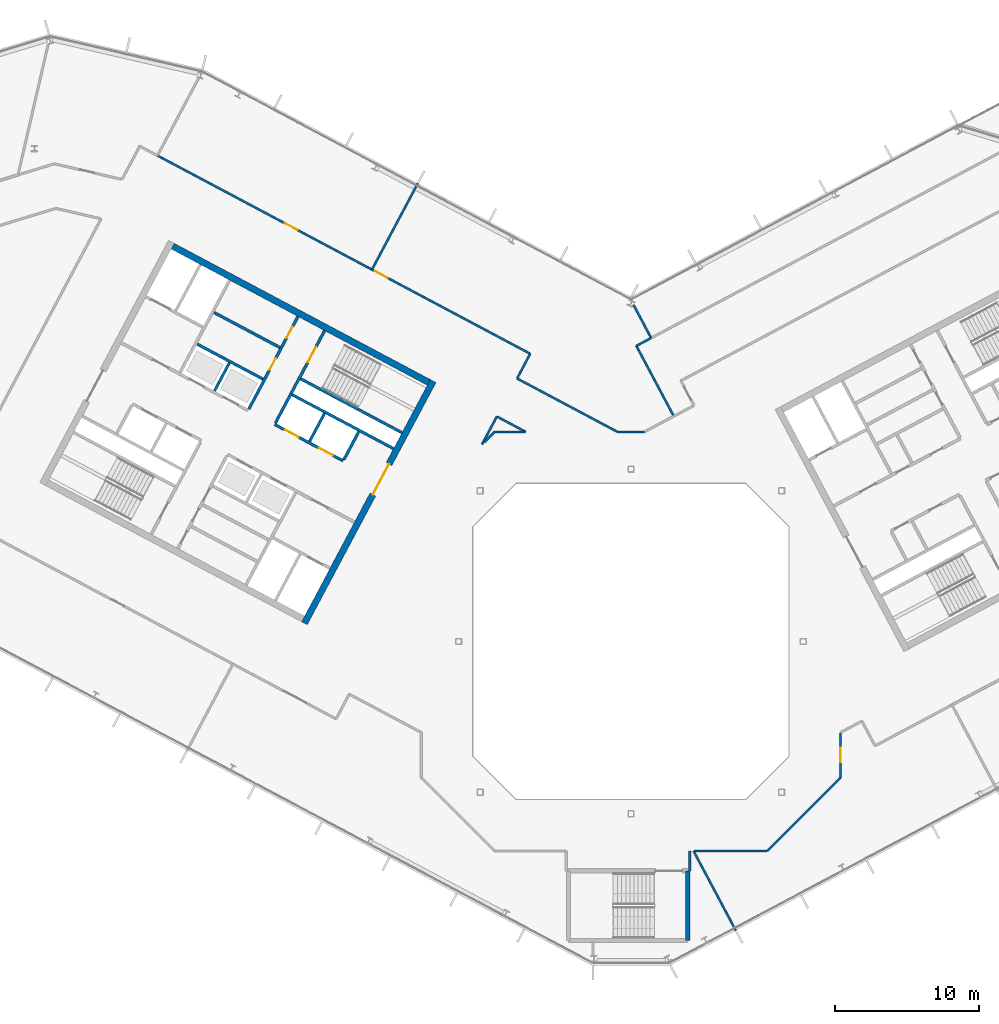
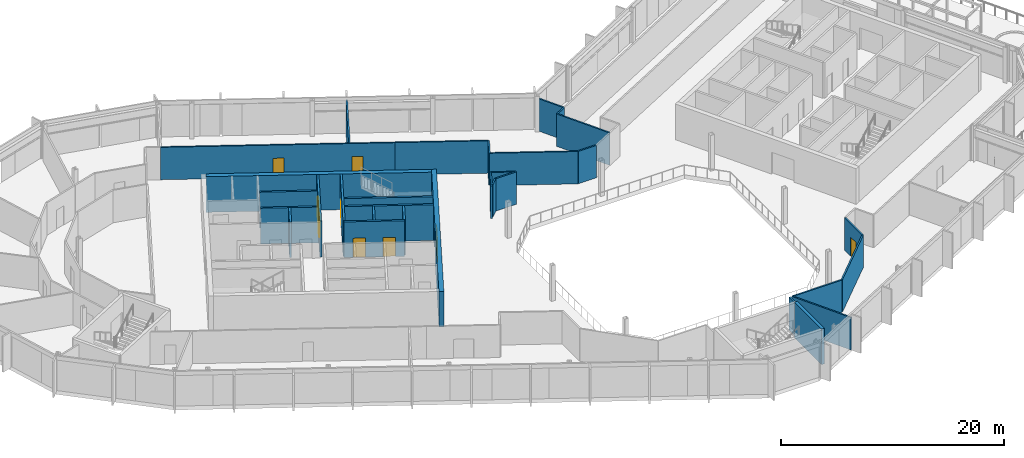
# One storey, part 16 of 30: 31 walls, 9 doors, 9 openings.
"""IFC4 building model written with IfcOpenShell, lengths in metres."""

from ifc_helpers import new_model, si_unit, direction, frame, frame_2d, origin, place, context, subcontext, project, spatial, rectangle, extrude, material, layer, layer_set, type_object, element, fill, save


model = new_model("IFC4")

# Units and contexts
model_context = context("Model", 3, precision=1e-05, world=origin(), true_north=direction((0.0, 1.0)))
body_context = subcontext(model_context, "Body", "Model", "MODEL_VIEW")
ifc_project = project(units=[si_unit("LENGTHUNIT", "METRE"), si_unit("AREAUNIT", "SQUARE_METRE"), si_unit("VOLUMEUNIT", "CUBIC_METRE"), si_unit("PLANEANGLEUNIT", "RADIAN"), si_unit("MASSUNIT", "GRAM", prefix="KILO")], contexts=[model_context])

# Site, building, storey
site_placement = place(None, origin())
site = spatial("IfcSite", under=ifc_project, at=site_placement, CompositionType="ELEMENT")
building_placement = place(site_placement, origin())
building = spatial("IfcBuilding", under=site, at=building_placement, Name="Cormorant Relay Tower", CompositionType="ELEMENT")
storey_placement = place(building_placement, frame((0.0, 0.0, 258.0)))
storey = spatial("IfcBuildingStorey", under=building, at=storey_placement, Name="L57", CompositionType="ELEMENT", Elevation=258.0)

# Walls
ifc_material_1 = material(Name="Concrete 40 MPa", Category="concrete")
ifc_layer_1 = layer(ifc_material_1, 0.199951171875)
ifc_layer_set_1 = layer_set([ifc_layer_1], Name="Core internal wall 200")
wall_type_1 = type_object("IfcWallType", Name="Core internal wall 200", PredefinedType="SOLIDWALL", material=ifc_layer_set_1)
for number, where, z_axis, x_axis, name in (
    (1, (-21.34375, 15.87890625, 0.0), (0.0, 0.0, 1.0), (-0.4694473164, -0.882960484464, 0.0), "L57 core A shaft and room wall"),
    (2, (-27.9658203125, 19.39990234375, 0.0), (0.0, 0.0, 1.0), (-0.4694473164, -0.882960484464, 0.0), "L57 core A shaft and room wall"),
):
    element("IfcWall", number, at=place(storey_placement, frame(where, z_axis=z_axis, x_axis=x_axis)), inside=storey, type_object=wall_type_1, Name=name, PredefinedType="SOLIDWALL", context=body_context, shape_type="SweptSolid", body=[
        extrude(rectangle(XDim=2.199951171875, YDim=0.199951171875, at=frame_2d((1.10009765625, 0.0))), origin(), (0.0, 0.0, 1.0), 3.89990234375),
    ])
wall_1_placement = place(storey_placement, frame((-24.449462890625, 20.474853515625, 0.0), z_axis=(0.0, 0.0, 1.0), x_axis=(-0.882934506056, 0.469496174655, 0.0)))
element("IfcWall", 3, at=wall_1_placement, inside=storey, type_object=wall_type_1, Name="L57 core A shaft and room wall", PredefinedType="SOLIDWALL", context=body_context, shape_type="SweptSolid", body=[
    extrude(rectangle(XDim=5.199951171875, YDim=0.199951171875, at=frame_2d((2.60009765625, 0.0))), origin(), (0.0, 0.0, 1.0), 3.89990234375),
])
ifc_material_2 = material(Name="Concrete 50 MPa", Category="concrete")
ifc_layer_2 = layer(ifc_material_2, 0.199951171875)
ifc_layer_set_2 = layer_set([ifc_layer_2], Name="Core shaft wall 200")
wall_type_2 = type_object("IfcWallType", Name="Core shaft wall 200", PredefinedType="SHEAR", material=ifc_layer_set_2)
wall_2_placement = place(storey_placement, frame((-18.959716796875, 14.611328125, 0.0), z_axis=(0.0, 0.0, 1.0), x_axis=(-0.4694473164, -0.882960484464, 0.0)))
element("IfcWall", 4, at=wall_2_placement, inside=storey, type_object=wall_type_2, Name="L57 core A shaft wall", PredefinedType="SHEAR", context=body_context, shape_type="SweptSolid", body=[
    extrude(rectangle(XDim=2.199951171875, YDim=0.199951171875, at=frame_2d((1.10009765625, 0.0))), origin(), (0.0, 0.0, 1.0), 3.89990234375),
])

# Wall, opening, door
wall_3_placement = place(storey_placement, frame((-21.333251953125, 21.6494140625, 0.0), z_axis=(0.0, 0.0, 1.0), x_axis=(-0.469494272526, -0.882935517501, 0.0)))
wall_3 = element("IfcWall", 5, at=wall_3_placement, inside=storey, type_object=wall_type_2, Name="L57 core A shaft wall", PredefinedType="SHEAR", context=body_context, shape_type="SweptSolid", body=[
    extrude(rectangle(XDim=7.2998046875, YDim=0.199951171875, at=frame_2d((3.64990234375, 0.0))), origin(), (0.0, 0.0, 1.0), 3.89990234375),
])
opening_1_placement = place(wall_3_placement, frame((1.300048828125, 0.0, 0.0)))
opening_1 = element("IfcOpeningElement", 6, at=opening_1_placement, cuts=wall_3, Name="Opening CDB-038", PredefinedType="OPENING", context=body_context, shape_type="SweptSolid", body=[
    extrude(rectangle(XDim=1.199951171875, YDim=2.10009765625, at=frame_2d((0.60009765625, 1.050048828125))), frame((0.0, 0.10986328125, 0.0), z_axis=(0.0, -1.0, 0.0), x_axis=(1.0, 0.0, 0.0)), (0.0, 0.0, 1.0), 0.219970703125),
])
ifc_material_3 = material(Name="Steel fire door", Category="steel")
door_type_1 = type_object("IfcDoorType", Name="Core stair door 1200x2100", OperationType="SINGLE_SWING_LEFT", PredefinedType="DOOR", material=ifc_material_3)
door_1_placement = place(opening_1_placement, origin())
door_1 = element("IfcDoor", 7, at=door_1_placement, inside=storey, type_object=door_type_1, Name="Core stair door 1200x2100", OperationType="SINGLE_SWING_RIGHT", OverallHeight=2.10009765625, OverallWidth=1.199951171875, PredefinedType="DOOR", context=body_context, shape_type="SweptSolid", body=[
    extrude(rectangle(XDim=1.199951171875, YDim=2.10009765625, at=frame_2d((0.60009765625, 1.050048828125))), frame((0.0, 0.02490234375, 0.0), z_axis=(0.0, -1.0, 0.0), x_axis=(1.0, 0.0, 0.0)), (0.0, 0.0, 1.0), 0.050048828125),
])
fill(opening_1, door_1)

# Wall, openings, doors
wall_4_placement = place(storey_placement, frame((-23.1875, 22.635498046875, 0.0), z_axis=(0.0, 0.0, 1.0), x_axis=(-0.469454336211, -0.882956752176, 0.0)))
wall_4 = element("IfcWall", 8, at=wall_4_placement, inside=storey, type_object=wall_type_2, Name="L57 core A shaft wall", PredefinedType="SHEAR", context=body_context, shape_type="SweptSolid", body=[
    extrude(rectangle(XDim=7.300048828125, YDim=0.199951171875, at=frame_2d((3.64990234375, 0.0))), origin(), (0.0, 0.0, 1.0), 3.89990234375),
])
opening_2_placement = place(wall_4_placement, frame((0.800048828125, 0.0, 0.0)))
opening_2 = element("IfcOpeningElement", 9, at=opening_2_placement, cuts=wall_4, Name="Opening CDD-281", PredefinedType="OPENING", context=body_context, shape_type="SweptSolid", body=[
    extrude(rectangle(XDim=0.89990234375, YDim=2.10009765625, at=frame_2d((0.449951171875, 1.050048828125))), frame((0.0, 0.10986328125, 0.0), z_axis=(0.0, -1.0, 0.0), x_axis=(1.0, 0.0, 0.0)), (0.0, 0.0, 1.0), 0.219970703125),
])
opening_3_placement = place(wall_4_placement, frame((3.300048828125, 0.0, 0.0)))
opening_3 = element("IfcOpeningElement", 10, at=opening_3_placement, cuts=wall_4, Name="Opening CDD-282", PredefinedType="OPENING", context=body_context, shape_type="SweptSolid", body=[
    extrude(rectangle(XDim=0.89990234375, YDim=2.10009765625, at=frame_2d((0.449951171875, 1.050048828125))), frame((0.0, 0.10986328125, 0.0), z_axis=(0.0, -1.0, 0.0), x_axis=(1.0, 0.0, 0.0)), (0.0, 0.0, 1.0), 0.219970703125),
])
ifc_material_4 = material(Name="Steel fire door", Category="steel")
door_type_2 = type_object("IfcDoorType", Name="Core room door 900x2100", OperationType="SINGLE_SWING_LEFT", PredefinedType="DOOR", material=ifc_material_4)
door_2_placement = place(opening_2_placement, origin())
door_2 = element("IfcDoor", 11, at=door_2_placement, inside=storey, type_object=door_type_2, Name="Core room door 900x2100", OperationType="SINGLE_SWING_LEFT", OverallHeight=2.10009765625, OverallWidth=0.89990234375, PredefinedType="DOOR", context=body_context, shape_type="SweptSolid", body=[
    extrude(rectangle(XDim=0.89990234375, YDim=2.10009765625, at=frame_2d((0.449951171875, 1.050048828125))), frame((0.0, 0.02490234375, 0.0), z_axis=(0.0, -1.0, 0.0), x_axis=(1.0, 0.0, 0.0)), (0.0, 0.0, 1.0), 0.050048828125),
])
fill(opening_2, door_2)
door_3_placement = place(opening_3_placement, origin())
door_3 = element("IfcDoor", 12, at=door_3_placement, inside=storey, type_object=door_type_2, Name="Core room door 900x2100", OperationType="SINGLE_SWING_LEFT", OverallHeight=2.10009765625, OverallWidth=0.89990234375, PredefinedType="DOOR", context=body_context, shape_type="SweptSolid", body=[
    extrude(rectangle(XDim=0.89990234375, YDim=2.10009765625, at=frame_2d((0.449951171875, 1.050048828125))), frame((0.0, 0.02490234375, 0.0), z_axis=(0.0, -1.0, 0.0), x_axis=(1.0, 0.0, 0.0)), (0.0, 0.0, 1.0), 0.050048828125),
])
fill(opening_3, door_3)

# Walls
wall_5_placement = place(storey_placement, frame((-15.94189453125, 14.53564453125, 0.0), z_axis=(0.0, 0.0, 1.0), x_axis=(-0.882946947542, 0.469472776449, 0.0)))
element("IfcWall", 13, at=wall_5_placement, inside=storey, type_object=wall_type_2, Name="L57 core A shaft wall", PredefinedType="SHEAR", context=body_context, shape_type="SweptSolid", body=[
    extrude(rectangle(XDim=8.000244140625, YDim=0.199951171875, at=frame_2d((4.0, 0.0))), origin(), (0.0, 0.0, 1.0), 3.89990234375),
])
wall_6_placement = place(storey_placement, frame((-16.52880859375, 13.43212890625, 0.0), z_axis=(0.0, 0.0, 1.0), x_axis=(-0.88295287151, 0.469461634952, 0.0)))
element("IfcWall", 14, at=wall_6_placement, inside=storey, type_object=wall_type_2, Name="L57 core A shaft wall", PredefinedType="SHEAR", context=body_context, shape_type="SweptSolid", body=[
    extrude(rectangle(XDim=7.999755859375, YDim=0.199951171875, at=frame_2d((4.0, 0.0))), origin(), (0.0, 0.0, 1.0), 3.89990234375),
])
wall_7_placement = place(storey_placement, frame((-25.623046875, 18.267578125, 0.0), z_axis=(0.0, 0.0, 1.0), x_axis=(-0.882953967957, 0.469459572775, 0.0)))
element("IfcWall", 15, at=wall_7_placement, inside=storey, type_object=wall_type_2, Name="L57 core A shaft wall", PredefinedType="SHEAR", context=body_context, shape_type="SweptSolid", body=[
    extrude(rectangle(XDim=5.199951171875, YDim=0.199951171875, at=frame_2d((2.60009765625, 0.0))), origin(), (0.0, 0.0, 1.0), 3.89990234375),
])

# Wall, openings, doors
wall_8_placement = place(storey_placement, frame((-20.03955078125, 12.58056640625, 0.0), z_axis=(0.0, 0.0, 1.0), x_axis=(-0.882942972946, 0.469480251476, 0.0)))
wall_8 = element("IfcWall", 16, at=wall_8_placement, inside=storey, type_object=wall_type_2, Name="L57 core A shaft wall", PredefinedType="SHEAR", context=body_context, shape_type="SweptSolid", body=[
    extrude(rectangle(XDim=5.39990234375, YDim=0.199951171875, at=frame_2d((2.699951171875, 0.0))), origin(), (0.0, 0.0, 1.0), 3.89990234375),
])
opening_4_placement = place(wall_8_placement, frame((0.800048828125, 0.0, 0.0)))
opening_4 = element("IfcOpeningElement", 17, at=opening_4_placement, cuts=wall_8, Name="Opening LD1-061", PredefinedType="OPENING", context=body_context, shape_type="SweptSolid", body=[
    extrude(rectangle(XDim=1.10009765625, YDim=2.10009765625, at=frame_2d((0.550048828125, 1.050048828125))), frame((0.0, 0.10986328125, 0.0), z_axis=(0.0, -1.0, 0.0), x_axis=(1.0, 0.0, 0.0)), (0.0, 0.0, 1.0), 0.219970703125),
])
opening_5_placement = place(wall_8_placement, frame((3.5, 0.0, 0.0)))
opening_5 = element("IfcOpeningElement", 18, at=opening_5_placement, cuts=wall_8, Name="Opening LD1-062", PredefinedType="OPENING", context=body_context, shape_type="SweptSolid", body=[
    extrude(rectangle(XDim=1.10009765625, YDim=2.10009765625, at=frame_2d((0.550048828125, 1.050048828125))), frame((0.0, 0.10986328125, 0.0), z_axis=(0.0, -1.0, 0.0), x_axis=(1.0, 0.0, 0.0)), (0.0, 0.0, 1.0), 0.219970703125),
])
ifc_material_5 = material(Name="Stainless steel 316", Category="steel")
door_type_3 = type_object("IfcDoorType", Name="Lift landing door 1100x2100", OperationType="DOUBLE_DOOR_SLIDING", PredefinedType="DOOR", material=ifc_material_5)
door_4_placement = place(opening_4_placement, origin())
door_4 = element("IfcDoor", 19, at=door_4_placement, inside=storey, type_object=door_type_3, Name="MR3 landing door", OperationType="DOUBLE_DOOR_SLIDING", OverallHeight=2.10009765625, OverallWidth=1.10009765625, PredefinedType="DOOR", context=body_context, shape_type="SweptSolid", body=[
    extrude(rectangle(XDim=1.10009765625, YDim=2.10009765625, at=frame_2d((0.550048828125, 1.050048828125))), frame((0.0, 0.02490234375, 0.0), z_axis=(0.0, -1.0, 0.0), x_axis=(1.0, 0.0, 0.0)), (0.0, 0.0, 1.0), 0.050048828125),
])
fill(opening_4, door_4)
door_5_placement = place(opening_5_placement, origin())
door_5 = element("IfcDoor", 20, at=door_5_placement, inside=storey, type_object=door_type_3, Name="MR4 landing door", OperationType="DOUBLE_DOOR_SLIDING", OverallHeight=2.10009765625, OverallWidth=1.10009765625, PredefinedType="DOOR", context=body_context, shape_type="SweptSolid", body=[
    extrude(rectangle(XDim=1.10009765625, YDim=2.10009765625, at=frame_2d((0.550048828125, 1.050048828125))), frame((0.0, 0.02490234375, 0.0), z_axis=(0.0, -1.0, 0.0), x_axis=(1.0, 0.0, 0.0)), (0.0, 0.0, 1.0), 0.050048828125),
])
fill(opening_5, door_5)

# Wall, opening, door
ifc_material_6 = material(Name="Concrete 50 MPa", Category="concrete")
ifc_layer_3 = layer(ifc_material_6, 0.449951171875)
ifc_layer_set_3 = layer_set([ifc_layer_3], Name="Core wall 450")
wall_type_3 = type_object("IfcWallType", Name="Core wall 450", PredefinedType="SHEAR", material=ifc_layer_set_3)
wall_9_placement = place(storey_placement, frame((-13.771484375, 18.138427734375, 0.0), z_axis=(0.0, 0.0, 1.0), x_axis=(-0.469467968382, -0.882949504028, 0.0)))
wall_9 = element("IfcWall", 21, at=wall_9_placement, inside=storey, type_object=wall_type_3, Name="L57 core A wall", PredefinedType="SHEAR", context=body_context, shape_type="SweptSolid", body=[
    extrude(rectangle(XDim=19.099853515625, YDim=0.449951171875, at=frame_2d((9.5498046875, 0.0))), origin(), (0.0, 0.0, 1.0), 3.89990234375),
])
opening_6_placement = place(wall_9_placement, frame((6.550048828125, 0.0, 0.0)))
opening_6 = element("IfcOpeningElement", 22, at=opening_6_placement, cuts=wall_9, Name="Opening CDA-050", PredefinedType="OPENING", context=body_context, shape_type="SweptSolid", body=[
    extrude(rectangle(XDim=2.39990234375, YDim=2.39990234375, at=frame_2d((1.199951171875, 1.199951171875))), frame((0.0, 0.23486328125, 0.0), z_axis=(0.0, -1.0, 0.0), x_axis=(1.0, 0.0, 0.0)), (0.0, 0.0, 1.0), 0.469970703125),
])
ifc_material_7 = material(Name="Steel fire door", Category="steel")
door_type_4 = type_object("IfcDoorType", Name="Core lobby door 2400x2400", OperationType="DOUBLE_DOOR_SINGLE_SWING", PredefinedType="DOOR", material=ifc_material_7)
door_6_placement = place(opening_6_placement, origin())
door_6 = element("IfcDoor", 23, at=door_6_placement, inside=storey, type_object=door_type_4, Name="Core lobby door 2400x2400", OperationType="DOUBLE_DOOR_SINGLE_SWING", OverallHeight=2.39990234375, OverallWidth=2.39990234375, PredefinedType="DOOR", context=body_context, shape_type="SweptSolid", body=[
    extrude(rectangle(XDim=2.39990234375, YDim=2.39990234375, at=frame_2d((1.199951171875, 1.199951171875))), frame((0.0, 0.02490234375, 0.0), z_axis=(0.0, -1.0, 0.0), x_axis=(1.0, 0.0, 0.0)), (0.0, 0.0, 1.0), 0.050048828125),
])
fill(opening_6, door_6)

# Wall
wall_10_placement = place(storey_placement, frame((-14.07568359375, 18.04541015625, 0.0), z_axis=(0.0, 0.0, 1.0), x_axis=(-0.882947755831, 0.46947125628, 0.0)))
element("IfcWall", 24, at=wall_10_placement, inside=storey, type_object=wall_type_3, Name="L57 core A wall", PredefinedType="SHEAR", context=body_context, shape_type="SweptSolid", body=[
    extrude(rectangle(XDim=20.2001953125, YDim=0.449951171875, at=frame_2d((10.10009765625, 0.0))), origin(), (0.0, 0.0, 1.0), 3.89990234375),
])

# Wall, openings, doors
ifc_material_8 = material(Name="Gypsum board fire partition")
ifc_layer_4 = layer(ifc_material_8, 0.14990234375)
ifc_layer_set_4 = layer_set([ifc_layer_4], Name="Corridor partition 150 EI 60")
wall_type_4 = type_object("IfcWallType", Name="Corridor partition 150 EI 60", PredefinedType="PARTITIONING", material=ifc_layer_set_4)
wall_11_placement = place(storey_placement, frame((-32.97509765625, 33.842041015625, 0.0), z_axis=(0.0, 0.0, 1.0), x_axis=(0.882957739094, -0.469452479995, 0.0)))
wall_11 = element("IfcWall", 25, at=wall_11_placement, inside=storey, type_object=wall_type_4, Name="wall/L57/part/022", PredefinedType="PARTITIONING", context=body_context, shape_type="SweptSolid", body=[
    extrude(rectangle(XDim=21.015869140625, YDim=0.14990234375, at=frame_2d((10.5078125, 0.0))), origin(), (0.0, 0.0, 1.0), 3.5400390625),
])
opening_7_placement = place(wall_11_placement, frame((17.14990234375, 0.0, 0.0)))
opening_7 = element("IfcOpeningElement", 26, at=opening_7_placement, cuts=wall_11, Name="Opening DS-191", PredefinedType="OPENING", context=body_context, shape_type="SweptSolid", body=[
    extrude(rectangle(XDim=1.0, YDim=2.10009765625, at=frame_2d((0.5, 1.050048828125))), frame((0.0, 0.0849609375, 0.0), z_axis=(0.0, -1.0, 0.0), x_axis=(1.0, 0.0, 0.0)), (0.0, 0.0, 1.0), 0.169921875),
])
opening_8_placement = place(wall_11_placement, frame((10.050048828125, 0.0, 0.0)))
opening_8 = element("IfcOpeningElement", 27, at=opening_8_placement, cuts=wall_11, Name="Opening DS-192", PredefinedType="OPENING", context=body_context, shape_type="SweptSolid", body=[
    extrude(rectangle(XDim=1.0, YDim=2.10009765625, at=frame_2d((0.5, 1.050048828125))), frame((0.0, 0.0849609375, 0.0), z_axis=(0.0, -1.0, 0.0), x_axis=(1.0, 0.0, 0.0)), (0.0, 0.0, 1.0), 0.169921875),
])
ifc_material_9 = material(Name="Timber door leaf", Category="wood")
door_type_5 = type_object("IfcDoorType", Name="Suite door 1000x2100", OperationType="SINGLE_SWING_LEFT", PredefinedType="DOOR", material=ifc_material_9)
door_7_placement = place(opening_7_placement, origin())
door_7 = element("IfcDoor", 28, at=door_7_placement, inside=storey, type_object=door_type_5, Name="door/L57/005", OperationType="SINGLE_SWING_LEFT", OverallHeight=2.10009765625, OverallWidth=1.0, PredefinedType="DOOR", context=body_context, shape_type="SweptSolid", body=[
    extrude(rectangle(XDim=1.0, YDim=2.10009765625, at=frame_2d((0.5, 1.050048828125))), frame((0.0, 0.02490234375, 0.0), z_axis=(0.0, -1.0, 0.0), x_axis=(1.0, 0.0, 0.0)), (0.0, 0.0, 1.0), 0.050048828125),
])
fill(opening_7, door_7)
door_8_placement = place(opening_8_placement, origin())
door_8 = element("IfcDoor", 29, at=door_8_placement, inside=storey, type_object=door_type_5, Name="door/L57/006", OperationType="SINGLE_SWING_RIGHT", OverallHeight=2.10009765625, OverallWidth=1.0, PredefinedType="DOOR", context=body_context, shape_type="SweptSolid", body=[
    extrude(rectangle(XDim=1.0, YDim=2.10009765625, at=frame_2d((0.5, 1.050048828125))), frame((0.0, 0.02490234375, 0.0), z_axis=(0.0, -1.0, 0.0), x_axis=(1.0, 0.0, 0.0)), (0.0, 0.0, 1.0), 0.050048828125),
])
fill(opening_8, door_8)

# Walls
wall_12_placement = place(storey_placement, frame((-7.927001953125, 18.321044921875, 0.0), z_axis=(0.0, 0.0, 1.0), x_axis=(0.46931118996, 0.883032845923, 0.0)))
element("IfcWall", 30, at=wall_12_placement, inside=storey, type_object=wall_type_4, Name="wall/L57/part/031", PredefinedType="PARTITIONING", context=body_context, shape_type="SweptSolid", body=[
    extrude(rectangle(XDim=1.945556640625, YDim=0.14990234375, at=frame_2d((0.97265625, 0.0))), origin(), (0.0, 0.0, 1.0), 3.5400390625),
])
wall_13_placement = place(storey_placement, frame((-14.4189453125, 23.97607421875, 0.0), z_axis=(0.0, 0.0, 1.0), x_axis=(0.88291475538, -0.469533315891, 0.0)))
element("IfcWall", 31, at=wall_13_placement, inside=storey, type_object=wall_type_4, Name="wall/L57/part/032", PredefinedType="PARTITIONING", context=body_context, shape_type="SweptSolid", body=[
    extrude(rectangle(XDim=8.386962890625, YDim=0.14990234375, at=frame_2d((4.193359375, 0.0))), origin(), (0.0, 0.0, 1.0), 3.5400390625),
])
wall_14_placement = place(storey_placement, frame((-7.928955078125, 18.31591796875, 0.0), z_axis=(0.0, 0.0, 1.0), x_axis=(0.882990705926, -0.469390469917, 0.0)))
element("IfcWall", 32, at=wall_14_placement, inside=storey, type_object=wall_type_4, Name="wall/L57/part/033", PredefinedType="PARTITIONING", context=body_context, shape_type="SweptSolid", body=[
    extrude(rectangle(XDim=7.916259765625, YDim=0.14990234375, at=frame_2d((3.9580078125, 0.0))), origin(), (0.0, 0.0, 1.0), 3.5400390625),
])
wall_15_placement = place(storey_placement, frame((-0.93896484375, 14.60009765625, 0.0), z_axis=(0.0, 0.0, 1.0), x_axis=(1.0, 0.0, 0.0)))
element("IfcWall", 33, at=wall_15_placement, inside=storey, type_object=wall_type_4, Name="wall/L57/part/034", PredefinedType="PARTITIONING", context=body_context, shape_type="SweptSolid", body=[
    extrude(rectangle(XDim=1.8779296875, YDim=0.14990234375, at=frame_2d((0.93896484375, 0.0))), origin(), (0.0, 0.0, 1.0), 3.5400390625),
])
wall_16_placement = place(storey_placement, frame((4.10009765625, -14.60009765625, 0.0), z_axis=(0.0, 0.0, 1.0), x_axis=(0.0, -1.0, 0.0)))
element("IfcWall", 34, at=wall_16_placement, inside=storey, type_object=wall_type_4, Name="wall/L57/part/044", PredefinedType="PARTITIONING", context=body_context, shape_type="SweptSolid", body=[
    extrude(rectangle(XDim=1.375, YDim=0.14990234375, at=frame_2d((0.6875, 0.0))), origin(), (0.0, 0.0, 1.0), 3.5400390625),
])

# Wall, opening, door
wall_17_placement = place(storey_placement, frame((14.60009765625, -6.35888671875, 0.0), z_axis=(0.0, 0.0, 1.0), x_axis=(0.0, -1.0, 0.0)))
wall_17 = element("IfcWall", 35, at=wall_17_placement, inside=storey, type_object=wall_type_4, Name="wall/L57/part/045", PredefinedType="PARTITIONING", context=body_context, shape_type="SweptSolid", body=[
    extrude(rectangle(XDim=3.132080078125, YDim=0.14990234375, at=frame_2d((1.56591796875, 0.0))), origin(), (0.0, 0.0, 1.0), 3.5400390625),
])
opening_9_placement = place(wall_17_placement, frame((1.050048828125, 0.0, 0.0)))
opening_9 = element("IfcOpeningElement", 36, at=opening_9_placement, cuts=wall_17, Name="Opening DS-188", PredefinedType="OPENING", context=body_context, shape_type="SweptSolid", body=[
    extrude(rectangle(XDim=1.0, YDim=2.10009765625, at=frame_2d((0.5, 1.050048828125))), frame((0.0, 0.0849609375, 0.0), z_axis=(0.0, -1.0, 0.0), x_axis=(1.0, 0.0, 0.0)), (0.0, 0.0, 1.0), 0.169921875),
])
door_9_placement = place(opening_9_placement, origin())
door_9 = element("IfcDoor", 37, at=door_9_placement, inside=storey, type_object=door_type_5, Name="door/L57/002", OperationType="SINGLE_SWING_LEFT", OverallHeight=2.10009765625, OverallWidth=1.0, PredefinedType="DOOR", context=body_context, shape_type="SweptSolid", body=[
    extrude(rectangle(XDim=1.0, YDim=2.10009765625, at=frame_2d((0.5, 1.050048828125))), frame((0.0, 0.02490234375, 0.0), z_axis=(0.0, -1.0, 0.0), x_axis=(1.0, 0.0, 0.0)), (0.0, 0.0, 1.0), 0.050048828125),
])
fill(opening_9, door_9)

# Walls
wall_18_placement = place(storey_placement, frame((14.60009765625, -9.490966796875, 0.0), z_axis=(0.0, 0.0, 1.0), x_axis=(-0.707106781187, -0.707106781187, 0.0)))
element("IfcWall", 38, at=wall_18_placement, inside=storey, type_object=wall_type_4, Name="wall/L57/part/046", PredefinedType="PARTITIONING", context=body_context, shape_type="SweptSolid", body=[
    extrude(rectangle(XDim=7.225341796875, YDim=0.14990234375, at=frame_2d((3.61279296875, 0.0))), origin(), (0.0, 0.0, 1.0), 3.5400390625),
])
wall_19_placement = place(storey_placement, frame((9.490966796875, -14.60009765625, 0.0), z_axis=(0.0, 0.0, 1.0), x_axis=(-1.0, 0.0, 0.0)))
element("IfcWall", 39, at=wall_19_placement, inside=storey, type_object=wall_type_4, Name="wall/L57/part/047", PredefinedType="PARTITIONING", context=body_context, shape_type="SweptSolid", body=[
    extrude(rectangle(XDim=5.099853515625, YDim=0.14990234375, at=frame_2d((2.5498046875, 0.0))), origin(), (0.0, 0.0, 1.0), 3.5400390625),
])
wall_20_placement = place(storey_placement, frame((-9.490966796875, 14.60009765625, 0.0), z_axis=(0.0, 0.0, 1.0), x_axis=(1.0, 0.0, 0.0)))
element("IfcWall", 40, at=wall_20_placement, inside=storey, type_object=wall_type_4, Name="wall/L57/part/062", PredefinedType="PARTITIONING", context=body_context, shape_type="SweptSolid", body=[
    extrude(rectangle(XDim=2.160888671875, YDim=0.14990234375, at=frame_2d((1.08056640625, 0.0))), origin(), (0.0, 0.0, 1.0), 3.5400390625),
])
wall_21_placement = place(storey_placement, frame((-7.330078125, 14.60009765625, 0.0), z_axis=(0.0, 0.0, 1.0), x_axis=(-0.882798481657, 0.469751892794, 0.0)))
element("IfcWall", 41, at=wall_21_placement, inside=storey, type_object=wall_type_4, Name="wall/L57/part/063", PredefinedType="PARTITIONING", context=body_context, shape_type="SweptSolid", body=[
    extrude(rectangle(XDim=2.273193359375, YDim=0.14990234375, at=frame_2d((1.13671875, 0.0))), origin(), (0.0, 0.0, 1.0), 3.5400390625),
])
wall_22_placement = place(storey_placement, frame((-9.3369140625, 15.66796875, 0.0), z_axis=(0.0, 0.0, 1.0), x_axis=(-0.469556197415, -0.882902586625, 0.0)))
element("IfcWall", 42, at=wall_22_placement, inside=storey, type_object=wall_type_4, Name="wall/L57/part/064", PredefinedType="PARTITIONING", context=body_context, shape_type="SweptSolid", body=[
    extrude(rectangle(XDim=2.210693359375, YDim=0.14990234375, at=frame_2d((1.10546875, 0.0))), origin(), (0.0, 0.0, 1.0), 3.5400390625),
])
wall_23_placement = place(storey_placement, frame((-10.197998046875, 13.89306640625, 0.0), z_axis=(0.0, 0.0, 1.0), x_axis=(0.707106781187, 0.707106781187, 0.0)))
element("IfcWall", 43, at=wall_23_placement, inside=storey, type_object=wall_type_4, Name="wall/L57/part/065", PredefinedType="PARTITIONING", context=body_context, shape_type="SweptSolid", body=[
    extrude(rectangle(XDim=1.0, YDim=0.14990234375, at=frame_2d((0.5, 0.0))), origin(), (0.0, 0.0, 1.0), 3.5400390625),
])
ifc_material_10 = material(Name="Concrete 50 MPa", Category="concrete")
ifc_layer_5 = layer(ifc_material_10, 0.300048828125)
ifc_layer_set_5 = layer_set([ifc_layer_5], Name="Remote stair wall 300")
wall_type_5 = type_object("IfcWallType", Name="Remote stair wall 300", PredefinedType="SHEAR", material=ifc_layer_set_5)
wall_24_placement = place(storey_placement, frame((3.949951171875, -15.97509765625, 0.0), z_axis=(0.0, 0.0, 1.0), x_axis=(0.0, -1.0, 0.0)))
element("IfcWall", 44, at=wall_24_placement, inside=storey, type_object=wall_type_5, Name="L57 exit stair RK1 wall", PredefinedType="SHEAR", context=body_context, shape_type="SweptSolid", body=[
    extrude(rectangle(XDim=4.849853515625, YDim=0.300048828125, at=frame_2d((2.4248046875, 0.0))), origin(), (0.0, 0.0, 1.0), 3.89990234375),
])
ifc_material_11 = material(Name="Gypsum board partition")
ifc_layer_6 = layer(ifc_material_11, 0.14990234375)
ifc_layer_set_6 = layer_set([ifc_layer_6], Name="Tenant partition 150")
wall_type_6 = type_object("IfcWallType", Name="Tenant partition 150", PredefinedType="PARTITIONING", material=ifc_layer_set_6)
wall_25_placement = place(storey_placement, frame((-14.843994140625, 31.903076171875, 0.0), z_axis=(0.0, 0.0, 1.0), x_axis=(-0.469294360179, -0.88304179035, 0.0)))
element("IfcWall", 45, at=wall_25_placement, inside=storey, type_object=wall_type_6, Name="wall/L57/part/024", PredefinedType="PARTITIONING", context=body_context, shape_type="SweptSolid", body=[
    extrude(rectangle(XDim=6.79931640625, YDim=0.14990234375, at=frame_2d((3.399658203125, 0.0))), origin(), (0.0, 0.0, 1.0), 3.5400390625),
])
wall_26_placement = place(storey_placement, frame((0.37890625, 20.5869140625, 0.0), z_axis=(0.0, 0.0, 1.0), x_axis=(0.4695947342, -0.882882090435, 0.0)))
element("IfcWall", 46, at=wall_26_placement, inside=storey, type_object=wall_type_6, Name="wall/L57/part/037", PredefinedType="PARTITIONING", context=body_context, shape_type="SweptSolid", body=[
    extrude(rectangle(XDim=5.5498046875, YDim=0.14990234375, at=frame_2d((2.77490234375, 0.0))), origin(), (0.0, 0.0, 1.0), 3.5400390625),
])
wall_27_placement = place(storey_placement, frame((0.177978515625, 23.449951171875, 0.0), z_axis=(0.0, 0.0, 1.0), x_axis=(0.469495603372, -0.882934809833, 0.0)))
element("IfcWall", 47, at=wall_27_placement, inside=storey, type_object=wall_type_6, Name="wall/L57/part/040", PredefinedType="PARTITIONING", context=body_context, shape_type="SweptSolid", body=[
    extrude(rectangle(XDim=2.621826171875, YDim=0.14990234375, at=frame_2d((1.31103515625, 0.0))), origin(), (0.0, 0.0, 1.0), 3.5400390625),
])
wall_28_placement = place(storey_placement, frame((1.406005859375, 21.134033203125, 0.0), z_axis=(0.0, 0.0, 1.0), x_axis=(-0.882590930183, -0.470141733905, 0.0)))
element("IfcWall", 48, at=wall_28_placement, inside=storey, type_object=wall_type_6, Name="wall/L57/part/041", PredefinedType="PARTITIONING", context=body_context, shape_type="SweptSolid", body=[
    extrude(rectangle(XDim=1.163818359375, YDim=0.14990234375, at=frame_2d((0.58203125, 0.0))), origin(), (0.0, 0.0, 1.0), 3.5400390625),
])
wall_29_placement = place(storey_placement, frame((7.303955078125, -20.126953125, 0.0), z_axis=(0.0, 0.0, 1.0), x_axis=(-0.469385258889, 0.882993476045, 0.0)))
element("IfcWall", 49, at=wall_29_placement, inside=storey, type_object=wall_type_6, Name="wall/L57/part/048", PredefinedType="PARTITIONING", context=body_context, shape_type="SweptSolid", body=[
    extrude(rectangle(XDim=6.25927734375, YDim=0.14990234375, at=frame_2d((3.129638671875, 0.0))), origin(), (0.0, 0.0, 1.0), 3.5400390625),
])

save(model, "model.ifc")
